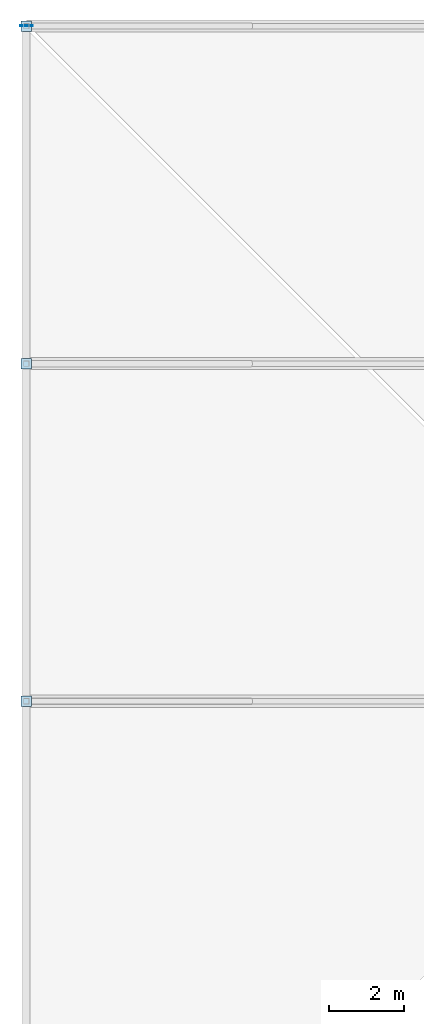
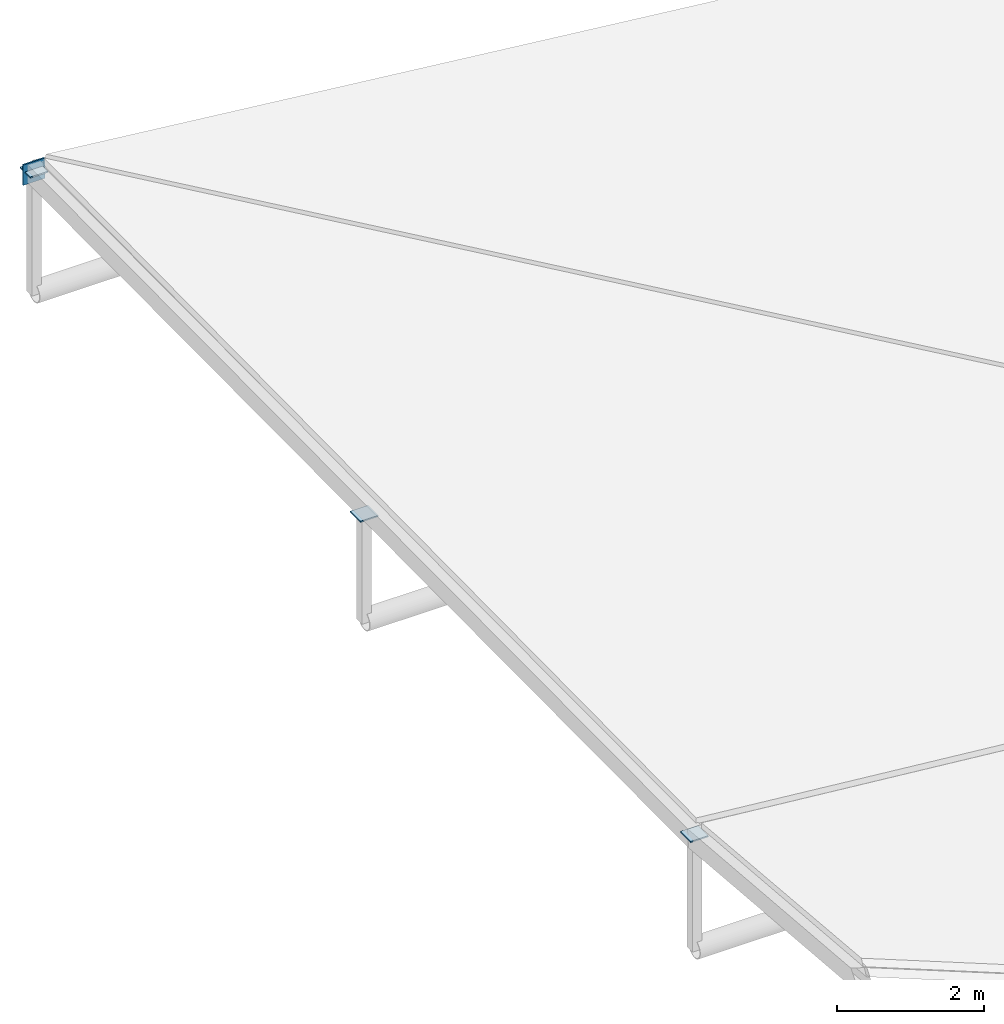
# One storey, part 39 of 44: 4 plates.
"""IFC4 building model written with IfcOpenShell, lengths in metres."""

from ifc_helpers import new_model, si_unit, direction, frame, origin, origin_2d, place, context, subcontext, project, spatial, rectangle, extrude, material, layer, layer_set, type_object, element, save


model = new_model("IFC4")

# Units and contexts
model_context = context("Model", 3, precision=1e-05, world=origin(), true_north=direction((0.0, 1.0)))
body_context = subcontext(model_context, "Body", "Model", "MODEL_VIEW")
ifc_project = project(units=[si_unit("LENGTHUNIT", "METRE"), si_unit("AREAUNIT", "SQUARE_METRE"), si_unit("VOLUMEUNIT", "CUBIC_METRE"), si_unit("PLANEANGLEUNIT", "RADIAN"), si_unit("MASSUNIT", "GRAM", prefix="KILO")], contexts=[model_context])

# Site, building, storey
site_placement = place(None, origin())
site = spatial("IfcSite", under=ifc_project, at=site_placement, CompositionType="ELEMENT")
building_placement = place(site_placement, origin())
building = spatial("IfcBuilding", under=site, at=building_placement, Name="Deido Ridge Mobility Hub", CompositionType="ELEMENT")
storey_placement = place(building_placement, frame((0.0, 0.0, 25.199951171875)))
storey = spatial("IfcBuildingStorey", under=building, at=storey_placement, Name="L06", CompositionType="ELEMENT", Elevation=25.199951171875)

# Plates
ifc_material = material(Name="Steel S355J2 EN 10025-2", Category="steel")
ifc_layer = layer(ifc_material, 0.02197265625, Name="Steel S355J2 EN 10025-2")
ifc_layer_set = layer_set([ifc_layer], Name="Steel S355J2 EN 10025-2")
plate_type = type_object("IfcPlateType", Name="PLT-CAP-22", PredefinedType="USERDEFINED", material=ifc_layer_set)
for number, where, z_axis, x_axis, name in (
    (1, (63.0, 63.0, 1.884033203125), (0.0, 0.0, 1.0), (1.0, 0.0, 0.0), "Hollow member sealed end-cap plate EC2-238"),
    (2, (63.0, 72.0, 1.754150390625), (0.0, 0.0, 1.0), (1.0, 0.0, 0.0), "Hollow member sealed end-cap plate EC2-240"),
    (3, (63.0, 81.0, 2.024169921875), (0.0, 0.0, 1.0), (1.0, 0.0, 0.0), "Hollow member sealed end-cap plate EC2-242"),
):
    element("IfcPlate", number, at=place(storey_placement, frame(where, z_axis=z_axis, x_axis=x_axis)), inside=storey, type_object=plate_type, Name=name, ObjectType="END CAP PLATE", PredefinedType="USERDEFINED", context=body_context, shape_type="SweptSolid", body=[
        extrude(rectangle(XDim=0.280029296875, YDim=0.280029296875, at=origin_2d()), origin(), (0.0, 0.0, 1.0), 0.02197265625),
    ])
plate_placement = place(storey_placement, frame((63.0, 81.011962890625, 1.830078125), z_axis=(0.0, 0.0, 1.0), x_axis=(1.0, 0.0, 0.0)))
element("IfcPlate", 4, at=plate_placement, inside=storey, type_object=plate_type, Name="Hollow member sealed end-cap plate EC2-246", ObjectType="END CAP PLATE", PredefinedType="USERDEFINED", context=body_context, shape_type="SweptSolid", body=[
    extrude(rectangle(XDim=0.340087890625, YDim=0.02197265625, at=origin_2d()), origin(), (0.0, 0.0, 1.0), 0.340087890625),
])

save(model, "model.ifc")
